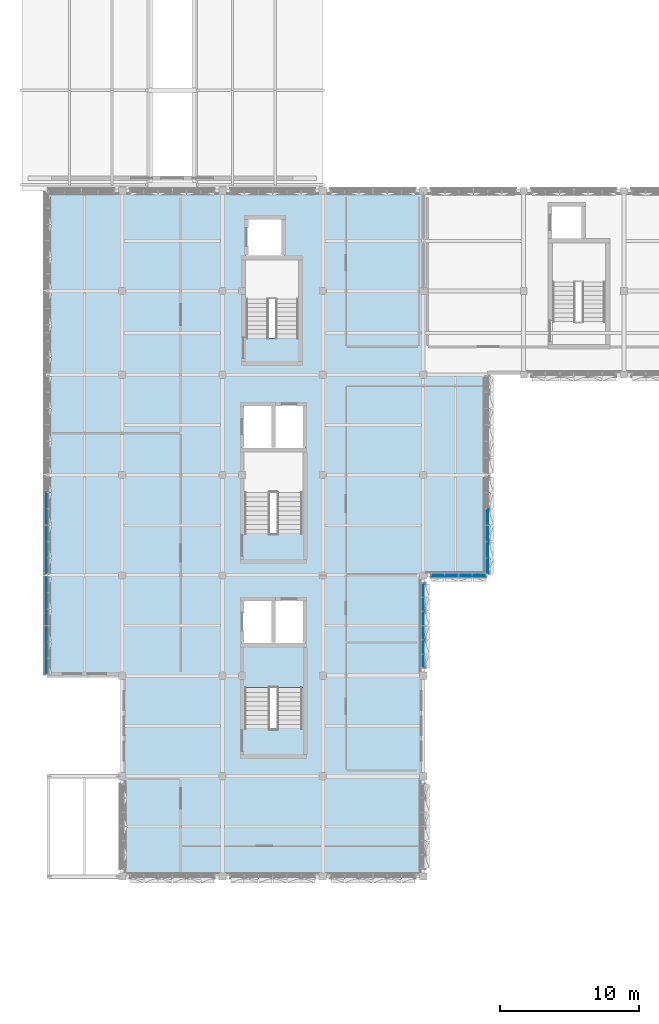
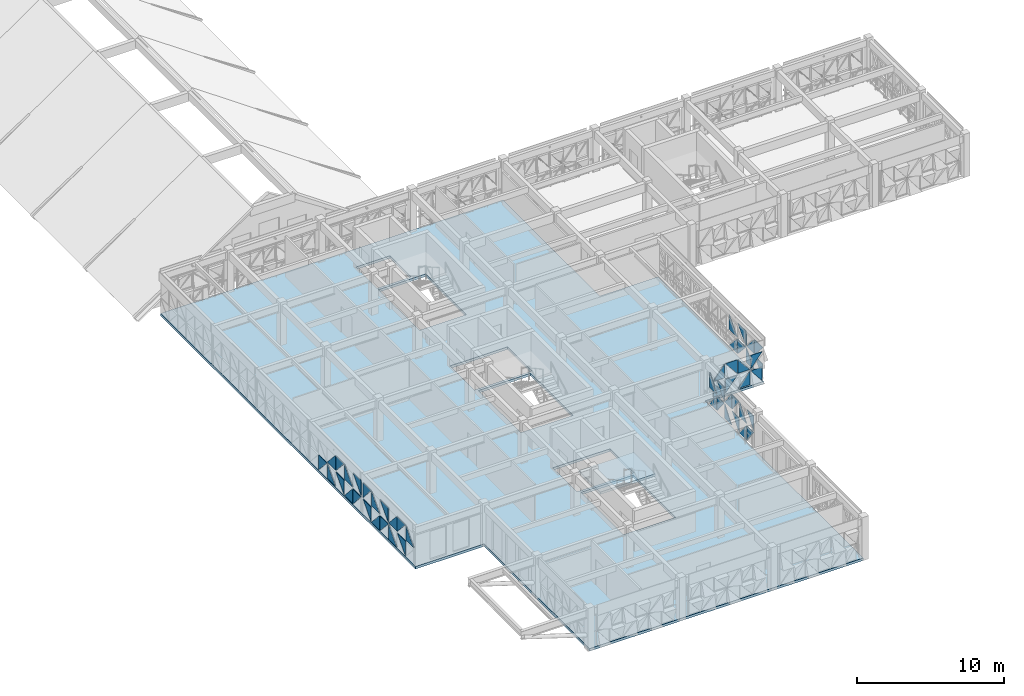
# One storey, part 20 of 48: 48 plates, 2 slabs, 6 elements without a shape of their own.
"""IFC4 building model written with IfcOpenShell, lengths in metres."""

from ifc_helpers import new_model, si_unit, direction, frame, origin, place, context, subcontext, project, spatial, polyline, outline, extrude, material, layer, layer_set, type_object, element, aggregate, save


model = new_model("IFC4")

# Units and contexts
model_context = context("Model", 3, precision=1e-05, world=origin(), true_north=direction((0.0, 1.0)))
body_context = subcontext(model_context, "Body", "Model", "MODEL_VIEW")
ifc_project = project(units=[si_unit("LENGTHUNIT", "METRE"), si_unit("AREAUNIT", "SQUARE_METRE"), si_unit("VOLUMEUNIT", "CUBIC_METRE"), si_unit("PLANEANGLEUNIT", "RADIAN"), si_unit("MASSUNIT", "GRAM", prefix="KILO")], contexts=[model_context])

# Site, building, storey
site_placement = place(None, origin())
site = spatial("IfcSite", under=ifc_project, at=site_placement, CompositionType="ELEMENT")
building_placement = place(site_placement, origin())
building = spatial("IfcBuilding", under=site, at=building_placement, Name="Alvorim Cloister Faculty of Sciences", CompositionType="ELEMENT")
storey_placement = place(building_placement, frame((0.0, 0.0, 19.35009765625)))
storey = spatial("IfcBuildingStorey", under=building, at=storey_placement, Name="L05", CompositionType="ELEMENT", Elevation=19.35009765625)

# Curtain wall, plates
ifc_material_1 = material(Name="Aluminium and Low-E Glass Curtain Wall", Category="aluminium")
curtain_wall_type_1 = type_object("IfcCurtainWallType", Name="CW-TRI-7040x2857", PredefinedType="USERDEFINED", material=ifc_material_1)
curtain_wall_1_placement = place(storey_placement, origin())
curtain_wall_1 = element("IfcCurtainWall", 1, at=curtain_wall_1_placement, inside=storey, type_object=curtain_wall_type_1, Name="L05 Diagonal Cassette Curtain Wall CW-0214", ObjectType="UNITISED CURTAIN WALL", PredefinedType="USERDEFINED")
ifc_material_2 = material(Name="Double Low-E Laminated Glass", Category="glass")
ifc_layer_1 = layer(ifc_material_2, 0.0400390625)
ifc_layer_set_1 = layer_set([ifc_layer_1], Name="Double Low-E Laminated Glass")
plate_type = type_object("IfcPlateType", Name="PN-GLZ-40", PredefinedType="CURTAIN_PANEL", material=ifc_layer_set_1)
plate_1_placement = place(storey_placement, frame((1.77490234375, 21.7451171875, 1.498291015625), z_axis=(0.0, 0.0, 1.0), x_axis=(0.0, 1.0, 0.0)))
plate_1 = element("IfcPlate", 2, at=plate_1_placement, type_object=plate_type, Name="Diagonal Glazed Triangle TRI-BR", PredefinedType="CURTAIN_PANEL", context=body_context, shape_type="SweptSolid", body=[
    extrude(outline(polyline([(0.001953125, 0.0), (1.075927734375, 0.0), (1.075927734375, 1.216552734375), (0.001953125, 0.0)])), frame((0.0, 0.02490234375, 0.0), z_axis=(0.0, -1.0, 0.0), x_axis=(1.0, 0.0, 0.0)), (0.0, 0.0, 1.0), 0.050048828125),
])
plate_2_placement = place(storey_placement, frame((1.77490234375, 22.8857421875, 0.139892578125), z_axis=(0.0, 0.0, 1.0), x_axis=(0.0, 1.0, 0.0)))
plate_2 = element("IfcPlate", 3, at=plate_2_placement, type_object=plate_type, Name="Diagonal Glazed Triangle TRI-TL", PredefinedType="CURTAIN_PANEL", context=body_context, shape_type="SweptSolid", body=[
    extrude(outline(polyline([(1.1064453125, 1.218505859375), (0.0, 1.218505859375), (0.0, 0.001953125), (1.1064453125, 1.218505859375)])), frame((0.0, 0.02490234375, 0.0), z_axis=(0.0, -1.0, 0.0), x_axis=(1.0, 0.0, 0.0)), (0.0, 0.0, 1.0), 0.050048828125),
])
plate_3_placement = place(storey_placement, frame((1.77490234375, 22.8857421875, 1.498291015625), z_axis=(0.0, 0.0, 1.0), x_axis=(0.0, 1.0, 0.0)))
plate_3 = element("IfcPlate", 4, at=plate_3_placement, type_object=plate_type, Name="Diagonal Glazed Triangle TRI-TR", PredefinedType="CURTAIN_PANEL", context=body_context, shape_type="SweptSolid", body=[
    extrude(outline(polyline([(1.1083984375, 0.001953125), (1.1083984375, 1.218505859375), (0.001953125, 1.218505859375), (1.1083984375, 0.001953125)])), frame((0.0, 0.02490234375, 0.0), z_axis=(0.0, -1.0, 0.0), x_axis=(1.0, 0.0, 0.0)), (0.0, 0.0, 1.0), 0.050048828125),
])
plate_4_placement = place(storey_placement, frame((1.77490234375, 24.05908203125, 0.139892578125), z_axis=(0.0, 0.0, 1.0), x_axis=(0.0, 1.0, 0.0)))
plate_4 = element("IfcPlate", 5, at=plate_4_placement, type_object=plate_type, Name="Diagonal Glazed Triangle TRI-BR", PredefinedType="CURTAIN_PANEL", context=body_context, shape_type="SweptSolid", body=[
    extrude(outline(polyline([(0.001953125, 0.0), (1.1083984375, 0.0), (1.1083984375, 1.216552734375), (0.001953125, 0.0)])), frame((0.0, 0.02490234375, 0.0), z_axis=(0.0, -1.0, 0.0), x_axis=(1.0, 0.0, 0.0)), (0.0, 0.0, 1.0), 0.050048828125),
])
plate_5_placement = place(storey_placement, frame((1.77490234375, 24.05908203125, 1.498291015625), z_axis=(0.0, 0.0, 1.0), x_axis=(0.0, 1.0, 0.0)))
plate_5 = element("IfcPlate", 6, at=plate_5_placement, type_object=plate_type, Name="Diagonal Glazed Triangle TRI-BL", PredefinedType="CURTAIN_PANEL", context=body_context, shape_type="SweptSolid", body=[
    extrude(outline(polyline([(0.0, 0.0), (1.1064453125, 0.0), (0.0, 1.216552734375), (0.0, 0.0)])), frame((0.0, 0.02490234375, 0.0), z_axis=(0.0, -1.0, 0.0), x_axis=(1.0, 0.0, 0.0)), (0.0, 0.0, 1.0), 0.050048828125),
])
plate_6_placement = place(storey_placement, frame((1.77490234375, 25.232421875, 0.139892578125), z_axis=(0.0, 0.0, 1.0), x_axis=(0.0, 1.0, 0.0)))
plate_6 = element("IfcPlate", 7, at=plate_6_placement, type_object=plate_type, Name="Diagonal Glazed Triangle TRI-TR", PredefinedType="CURTAIN_PANEL", context=body_context, shape_type="SweptSolid", body=[
    extrude(outline(polyline([(1.1083984375, 0.001953125), (1.1083984375, 1.218505859375), (0.001953125, 1.218505859375), (1.1083984375, 0.001953125)])), frame((0.0, 0.02490234375, 0.0), z_axis=(0.0, -1.0, 0.0), x_axis=(1.0, 0.0, 0.0)), (0.0, 0.0, 1.0), 0.050048828125),
])
plate_7_placement = place(storey_placement, frame((1.77490234375, 25.232421875, 1.498291015625), z_axis=(0.0, 0.0, 1.0), x_axis=(0.0, 1.0, 0.0)))
plate_7 = element("IfcPlate", 8, at=plate_7_placement, type_object=plate_type, Name="Diagonal Glazed Triangle TRI-TL", PredefinedType="CURTAIN_PANEL", context=body_context, shape_type="SweptSolid", body=[
    extrude(outline(polyline([(1.1064453125, 1.218505859375), (0.0, 1.218505859375), (0.0, 0.001953125), (1.1064453125, 1.218505859375)])), frame((0.0, 0.02490234375, 0.0), z_axis=(0.0, -1.0, 0.0), x_axis=(1.0, 0.0, 0.0)), (0.0, 0.0, 1.0), 0.050048828125),
])
plate_8_placement = place(storey_placement, frame((1.77490234375, 26.40576171875, 0.139892578125), z_axis=(0.0, 0.0, 1.0), x_axis=(0.0, 1.0, 0.0)))
plate_8 = element("IfcPlate", 9, at=plate_8_placement, type_object=plate_type, Name="Diagonal Glazed Triangle TRI-BL", PredefinedType="CURTAIN_PANEL", context=body_context, shape_type="SweptSolid", body=[
    extrude(outline(polyline([(0.0, 0.0), (1.1064453125, 0.0), (0.0, 1.216552734375), (0.0, 0.0)])), frame((0.0, 0.02490234375, 0.0), z_axis=(0.0, -1.0, 0.0), x_axis=(1.0, 0.0, 0.0)), (0.0, 0.0, 1.0), 0.050048828125),
])
plate_9_placement = place(storey_placement, frame((1.77490234375, 26.40576171875, 1.498291015625), z_axis=(0.0, 0.0, 1.0), x_axis=(0.0, 1.0, 0.0)))
plate_9 = element("IfcPlate", 10, at=plate_9_placement, type_object=plate_type, Name="Diagonal Glazed Triangle TRI-BR", PredefinedType="CURTAIN_PANEL", context=body_context, shape_type="SweptSolid", body=[
    extrude(outline(polyline([(0.001953125, 0.0), (1.1083984375, 0.0), (1.1083984375, 1.216552734375), (0.001953125, 0.0)])), frame((0.0, 0.02490234375, 0.0), z_axis=(0.0, -1.0, 0.0), x_axis=(1.0, 0.0, 0.0)), (0.0, 0.0, 1.0), 0.050048828125),
])
plate_10_placement = place(storey_placement, frame((1.77490234375, 27.5791015625, 0.139892578125), z_axis=(0.0, 0.0, 1.0), x_axis=(0.0, 1.0, 0.0)))
plate_10 = element("IfcPlate", 11, at=plate_10_placement, type_object=plate_type, Name="Diagonal Glazed Triangle TRI-TL", PredefinedType="CURTAIN_PANEL", context=body_context, shape_type="SweptSolid", body=[
    extrude(outline(polyline([(1.073974609375, 1.218505859375), (0.0, 1.218505859375), (0.0, 0.001953125), (1.073974609375, 1.218505859375)])), frame((0.0, 0.02490234375, 0.0), z_axis=(0.0, -1.0, 0.0), x_axis=(1.0, 0.0, 0.0)), (0.0, 0.0, 1.0), 0.050048828125),
])
plate_11_placement = place(storey_placement, frame((1.77490234375, 27.5791015625, 1.498291015625), z_axis=(0.0, 0.0, 1.0), x_axis=(0.0, 1.0, 0.0)))
plate_11 = element("IfcPlate", 12, at=plate_11_placement, type_object=plate_type, Name="Diagonal Glazed Triangle TRI-TR", PredefinedType="CURTAIN_PANEL", context=body_context, shape_type="SweptSolid", body=[
    extrude(outline(polyline([(1.075927734375, 0.001953125), (1.075927734375, 1.218505859375), (0.001953125, 1.218505859375), (1.075927734375, 0.001953125)])), frame((0.0, 0.02490234375, 0.0), z_axis=(0.0, -1.0, 0.0), x_axis=(1.0, 0.0, 0.0)), (0.0, 0.0, 1.0), 0.050048828125),
])
aggregate(curtain_wall_1, [plate_1, plate_2, plate_3, plate_4, plate_5, plate_6, plate_7, plate_8, plate_9, plate_10, plate_11])

curtain_wall_2_placement = place(storey_placement, origin())
curtain_wall_2 = element("IfcCurtainWall", 13, at=curtain_wall_2_placement, inside=storey, type_object=curtain_wall_type_1, Name="L05 Diagonal Cassette Curtain Wall CW-0215", ObjectType="UNITISED CURTAIN WALL", PredefinedType="USERDEFINED")
plate_12_placement = place(storey_placement, frame((1.77490234375, 28.945068359375, 0.139892578125), z_axis=(0.0, 0.0, 1.0), x_axis=(0.0, 1.0, 0.0)))
plate_12 = element("IfcPlate", 14, at=plate_12_placement, type_object=plate_type, Name="Diagonal Glazed Triangle TRI-TR", PredefinedType="CURTAIN_PANEL", context=body_context, shape_type="SweptSolid", body=[
    extrude(outline(polyline([(1.075927734375, 0.001953125), (1.075927734375, 1.218505859375), (0.001953125, 1.218505859375), (1.075927734375, 0.001953125)])), frame((0.0, 0.02490234375, 0.0), z_axis=(0.0, -1.0, 0.0), x_axis=(1.0, 0.0, 0.0)), (0.0, 0.0, 1.0), 0.050048828125),
])
plate_13_placement = place(storey_placement, frame((1.77490234375, 28.945068359375, 1.498291015625), z_axis=(0.0, 0.0, 1.0), x_axis=(0.0, 1.0, 0.0)))
plate_13 = element("IfcPlate", 15, at=plate_13_placement, type_object=plate_type, Name="Diagonal Glazed Triangle TRI-TL", PredefinedType="CURTAIN_PANEL", context=body_context, shape_type="SweptSolid", body=[
    extrude(outline(polyline([(1.073974609375, 1.218505859375), (0.0, 1.218505859375), (0.0, 0.001953125), (1.073974609375, 1.218505859375)])), frame((0.0, 0.02490234375, 0.0), z_axis=(0.0, -1.0, 0.0), x_axis=(1.0, 0.0, 0.0)), (0.0, 0.0, 1.0), 0.050048828125),
])
plate_14_placement = place(storey_placement, frame((1.77490234375, 30.0859375, 0.139892578125), z_axis=(0.0, 0.0, 1.0), x_axis=(0.0, 1.0, 0.0)))
plate_14 = element("IfcPlate", 16, at=plate_14_placement, type_object=plate_type, Name="Diagonal Glazed Triangle TRI-BL", PredefinedType="CURTAIN_PANEL", context=body_context, shape_type="SweptSolid", body=[
    extrude(outline(polyline([(0.0, 0.0), (1.1064453125, 0.0), (0.0, 1.216552734375), (0.0, 0.0)])), frame((0.0, 0.02490234375, 0.0), z_axis=(0.0, -1.0, 0.0), x_axis=(1.0, 0.0, 0.0)), (0.0, 0.0, 1.0), 0.050048828125),
])
plate_15_placement = place(storey_placement, frame((1.77490234375, 30.0859375, 1.498291015625), z_axis=(0.0, 0.0, 1.0), x_axis=(0.0, 1.0, 0.0)))
plate_15 = element("IfcPlate", 17, at=plate_15_placement, type_object=plate_type, Name="Diagonal Glazed Triangle TRI-BR", PredefinedType="CURTAIN_PANEL", context=body_context, shape_type="SweptSolid", body=[
    extrude(outline(polyline([(0.001953125, 0.0), (1.1083984375, 0.0), (1.1083984375, 1.216552734375), (0.001953125, 0.0)])), frame((0.0, 0.02490234375, 0.0), z_axis=(0.0, -1.0, 0.0), x_axis=(1.0, 0.0, 0.0)), (0.0, 0.0, 1.0), 0.050048828125),
])
plate_16_placement = place(storey_placement, frame((1.77490234375, 31.25927734375, 0.139892578125), z_axis=(0.0, 0.0, 1.0), x_axis=(0.0, 1.0, 0.0)))
plate_16 = element("IfcPlate", 18, at=plate_16_placement, type_object=plate_type, Name="Diagonal Glazed Triangle TRI-TL", PredefinedType="CURTAIN_PANEL", context=body_context, shape_type="SweptSolid", body=[
    extrude(outline(polyline([(1.1064453125, 1.218505859375), (0.0, 1.218505859375), (0.0, 0.001953125), (1.1064453125, 1.218505859375)])), frame((0.0, 0.02490234375, 0.0), z_axis=(0.0, -1.0, 0.0), x_axis=(1.0, 0.0, 0.0)), (0.0, 0.0, 1.0), 0.050048828125),
])
plate_17_placement = place(storey_placement, frame((1.77490234375, 31.25927734375, 1.498291015625), z_axis=(0.0, 0.0, 1.0), x_axis=(0.0, 1.0, 0.0)))
plate_17 = element("IfcPlate", 19, at=plate_17_placement, type_object=plate_type, Name="Diagonal Glazed Triangle TRI-TR", PredefinedType="CURTAIN_PANEL", context=body_context, shape_type="SweptSolid", body=[
    extrude(outline(polyline([(1.1083984375, 0.001953125), (1.1083984375, 1.218505859375), (0.001953125, 1.218505859375), (1.1083984375, 0.001953125)])), frame((0.0, 0.02490234375, 0.0), z_axis=(0.0, -1.0, 0.0), x_axis=(1.0, 0.0, 0.0)), (0.0, 0.0, 1.0), 0.050048828125),
])
plate_18_placement = place(storey_placement, frame((1.77490234375, 32.4326171875, 0.139892578125), z_axis=(0.0, 0.0, 1.0), x_axis=(0.0, 1.0, 0.0)))
plate_18 = element("IfcPlate", 20, at=plate_18_placement, type_object=plate_type, Name="Diagonal Glazed Triangle TRI-BR", PredefinedType="CURTAIN_PANEL", context=body_context, shape_type="SweptSolid", body=[
    extrude(outline(polyline([(0.001953125, 0.0), (1.1083984375, 0.0), (1.1083984375, 1.216552734375), (0.001953125, 0.0)])), frame((0.0, 0.02490234375, 0.0), z_axis=(0.0, -1.0, 0.0), x_axis=(1.0, 0.0, 0.0)), (0.0, 0.0, 1.0), 0.050048828125),
])
plate_19_placement = place(storey_placement, frame((1.77490234375, 32.4326171875, 1.498291015625), z_axis=(0.0, 0.0, 1.0), x_axis=(0.0, 1.0, 0.0)))
plate_19 = element("IfcPlate", 21, at=plate_19_placement, type_object=plate_type, Name="Diagonal Glazed Triangle TRI-BL", PredefinedType="CURTAIN_PANEL", context=body_context, shape_type="SweptSolid", body=[
    extrude(outline(polyline([(0.0, 0.0), (1.1064453125, 0.0), (0.0, 1.216552734375), (0.0, 0.0)])), frame((0.0, 0.02490234375, 0.0), z_axis=(0.0, -1.0, 0.0), x_axis=(1.0, 0.0, 0.0)), (0.0, 0.0, 1.0), 0.050048828125),
])
plate_20_placement = place(storey_placement, frame((1.77490234375, 33.605712890625, 0.139892578125), z_axis=(0.0, 0.0, 1.0), x_axis=(0.0, 1.0, 0.0)))
plate_20 = element("IfcPlate", 22, at=plate_20_placement, type_object=plate_type, Name="Diagonal Glazed Triangle TRI-TR", PredefinedType="CURTAIN_PANEL", context=body_context, shape_type="SweptSolid", body=[
    extrude(outline(polyline([(1.1083984375, 0.001953125), (1.1083984375, 1.218505859375), (0.001953125, 1.218505859375), (1.1083984375, 0.001953125)])), frame((0.0, 0.02490234375, 0.0), z_axis=(0.0, -1.0, 0.0), x_axis=(1.0, 0.0, 0.0)), (0.0, 0.0, 1.0), 0.050048828125),
])
aggregate(curtain_wall_2, [plate_12, plate_13, plate_14, plate_15, plate_16, plate_17, plate_18, plate_19, plate_20])

curtain_wall_3_placement = place(storey_placement, origin())
curtain_wall_3 = element("IfcCurtainWall", 23, at=curtain_wall_3_placement, inside=storey, type_object=curtain_wall_type_1, Name="L05 Diagonal Cassette Curtain Wall CW-0233", ObjectType="UNITISED CURTAIN WALL", PredefinedType="USERDEFINED")
plate_21_placement = place(storey_placement, frame((33.425048828125, 28.945068359375, 0.139892578125), z_axis=(0.0, 0.0, 1.0), x_axis=(0.0, 1.0, 0.0)))
plate_21 = element("IfcPlate", 24, at=plate_21_placement, type_object=plate_type, Name="Diagonal Glazed Triangle TRI-TL", PredefinedType="CURTAIN_PANEL", context=body_context, shape_type="SweptSolid", body=[
    extrude(outline(polyline([(1.073974609375, 1.218505859375), (0.0, 1.218505859375), (0.0, 0.001953125), (1.073974609375, 1.218505859375)])), frame((0.0, 0.02490234375, 0.0), z_axis=(0.0, -1.0, 0.0), x_axis=(1.0, 0.0, 0.0)), (0.0, 0.0, 1.0), 0.050048828125),
])
plate_22_placement = place(storey_placement, frame((33.425048828125, 28.945068359375, 1.498291015625), z_axis=(0.0, 0.0, 1.0), x_axis=(0.0, 1.0, 0.0)))
plate_22 = element("IfcPlate", 25, at=plate_22_placement, type_object=plate_type, Name="Diagonal Glazed Triangle TRI-TR", PredefinedType="CURTAIN_PANEL", context=body_context, shape_type="SweptSolid", body=[
    extrude(outline(polyline([(1.075927734375, 0.001953125), (1.075927734375, 1.218505859375), (0.001953125, 1.218505859375), (1.075927734375, 0.001953125)])), frame((0.0, 0.02490234375, 0.0), z_axis=(0.0, -1.0, 0.0), x_axis=(1.0, 0.0, 0.0)), (0.0, 0.0, 1.0), 0.050048828125),
])
plate_23_placement = place(storey_placement, frame((33.425048828125, 30.0859375, 0.139892578125), z_axis=(0.0, 0.0, 1.0), x_axis=(0.0, 1.0, 0.0)))
plate_23 = element("IfcPlate", 26, at=plate_23_placement, type_object=plate_type, Name="Diagonal Glazed Triangle TRI-BR", PredefinedType="CURTAIN_PANEL", context=body_context, shape_type="SweptSolid", body=[
    extrude(outline(polyline([(0.001953125, 0.0), (1.1083984375, 0.0), (1.1083984375, 1.216552734375), (0.001953125, 0.0)])), frame((0.0, 0.02490234375, 0.0), z_axis=(0.0, -1.0, 0.0), x_axis=(1.0, 0.0, 0.0)), (0.0, 0.0, 1.0), 0.050048828125),
])
plate_24_placement = place(storey_placement, frame((33.425048828125, 30.0859375, 1.498291015625), z_axis=(0.0, 0.0, 1.0), x_axis=(0.0, 1.0, 0.0)))
plate_24 = element("IfcPlate", 27, at=plate_24_placement, type_object=plate_type, Name="Diagonal Glazed Triangle TRI-BL", PredefinedType="CURTAIN_PANEL", context=body_context, shape_type="SweptSolid", body=[
    extrude(outline(polyline([(0.0, 0.0), (1.1064453125, 0.0), (0.0, 1.216552734375), (0.0, 0.0)])), frame((0.0, 0.02490234375, 0.0), z_axis=(0.0, -1.0, 0.0), x_axis=(1.0, 0.0, 0.0)), (0.0, 0.0, 1.0), 0.050048828125),
])
plate_25_placement = place(storey_placement, frame((33.425048828125, 31.25927734375, 0.139892578125), z_axis=(0.0, 0.0, 1.0), x_axis=(0.0, 1.0, 0.0)))
plate_25 = element("IfcPlate", 28, at=plate_25_placement, type_object=plate_type, Name="Diagonal Glazed Triangle TRI-TR", PredefinedType="CURTAIN_PANEL", context=body_context, shape_type="SweptSolid", body=[
    extrude(outline(polyline([(1.1083984375, 0.001953125), (1.1083984375, 1.218505859375), (0.001953125, 1.218505859375), (1.1083984375, 0.001953125)])), frame((0.0, 0.02490234375, 0.0), z_axis=(0.0, -1.0, 0.0), x_axis=(1.0, 0.0, 0.0)), (0.0, 0.0, 1.0), 0.050048828125),
])
plate_26_placement = place(storey_placement, frame((33.425048828125, 31.25927734375, 1.498291015625), z_axis=(0.0, 0.0, 1.0), x_axis=(0.0, 1.0, 0.0)))
plate_26 = element("IfcPlate", 29, at=plate_26_placement, type_object=plate_type, Name="Diagonal Glazed Triangle TRI-TL", PredefinedType="CURTAIN_PANEL", context=body_context, shape_type="SweptSolid", body=[
    extrude(outline(polyline([(1.1064453125, 1.218505859375), (0.0, 1.218505859375), (0.0, 0.001953125), (1.1064453125, 1.218505859375)])), frame((0.0, 0.02490234375, 0.0), z_axis=(0.0, -1.0, 0.0), x_axis=(1.0, 0.0, 0.0)), (0.0, 0.0, 1.0), 0.050048828125),
])
plate_27_placement = place(storey_placement, frame((33.425048828125, 32.4326171875, 0.139892578125), z_axis=(0.0, 0.0, 1.0), x_axis=(0.0, 1.0, 0.0)))
plate_27 = element("IfcPlate", 30, at=plate_27_placement, type_object=plate_type, Name="Diagonal Glazed Triangle TRI-BL", PredefinedType="CURTAIN_PANEL", context=body_context, shape_type="SweptSolid", body=[
    extrude(outline(polyline([(0.0, 0.0), (1.1064453125, 0.0), (0.0, 1.216552734375), (0.0, 0.0)])), frame((0.0, 0.02490234375, 0.0), z_axis=(0.0, -1.0, 0.0), x_axis=(1.0, 0.0, 0.0)), (0.0, 0.0, 1.0), 0.050048828125),
])
plate_28_placement = place(storey_placement, frame((33.425048828125, 32.4326171875, 1.498291015625), z_axis=(0.0, 0.0, 1.0), x_axis=(0.0, 1.0, 0.0)))
plate_28 = element("IfcPlate", 31, at=plate_28_placement, type_object=plate_type, Name="Diagonal Glazed Triangle TRI-BR", PredefinedType="CURTAIN_PANEL", context=body_context, shape_type="SweptSolid", body=[
    extrude(outline(polyline([(0.001953125, 0.0), (1.1083984375, 0.0), (1.1083984375, 1.216552734375), (0.001953125, 0.0)])), frame((0.0, 0.02490234375, 0.0), z_axis=(0.0, -1.0, 0.0), x_axis=(1.0, 0.0, 0.0)), (0.0, 0.0, 1.0), 0.050048828125),
])
aggregate(curtain_wall_3, [plate_21, plate_22, plate_23, plate_24, plate_25, plate_26, plate_27, plate_28])

curtain_wall_type_2 = type_object("IfcCurtainWallType", Name="CW-TRI-3980x2706", PredefinedType="USERDEFINED", material=ifc_material_1)
curtain_wall_4_placement = place(storey_placement, origin())
curtain_wall_4 = element("IfcCurtainWall", 32, at=curtain_wall_4_placement, inside=storey, type_object=curtain_wall_type_2, Name="L05 Diagonal Cassette Curtain Wall CW-0234", ObjectType="UNITISED CURTAIN WALL", PredefinedType="USERDEFINED")
plate_29_placement = place(storey_placement, frame((29.405029296875, 28.77490234375, 0.139892578125), z_axis=(0.0, 0.0, 1.0), x_axis=(1.0, 0.0, 0.0)))
plate_29 = element("IfcPlate", 33, at=plate_29_placement, type_object=plate_type, Name="Diagonal Glazed Triangle TRI-BL", PredefinedType="CURTAIN_PANEL", context=body_context, shape_type="SweptSolid", body=[
    extrude(outline(polyline([(0.0, 0.0), (0.8955078125, 0.0), (0.0, 1.14111328125), (0.0, 0.0)])), frame((0.0, 0.02490234375, 0.0), z_axis=(0.0, -1.0, 0.0), x_axis=(1.0, 0.0, 0.0)), (0.0, 0.0, 1.0), 0.050048828125),
])
plate_30_placement = place(storey_placement, frame((29.405029296875, 28.77490234375, 1.4228515625), z_axis=(0.0, 0.0, 1.0), x_axis=(1.0, 0.0, 0.0)))
plate_30 = element("IfcPlate", 34, at=plate_30_placement, type_object=plate_type, Name="Diagonal Glazed Triangle TRI-BR", PredefinedType="CURTAIN_PANEL", context=body_context, shape_type="SweptSolid", body=[
    extrude(outline(polyline([(0.001953125, 0.0), (0.8974609375, 0.0), (0.8974609375, 1.14111328125), (0.001953125, 0.0)])), frame((0.0, 0.02490234375, 0.0), z_axis=(0.0, -1.0, 0.0), x_axis=(1.0, 0.0, 0.0)), (0.0, 0.0, 1.0), 0.050048828125),
])
plate_31_placement = place(storey_placement, frame((30.367431640625, 28.77490234375, 0.139892578125), z_axis=(0.0, 0.0, 1.0), x_axis=(1.0, 0.0, 0.0)))
plate_31 = element("IfcPlate", 35, at=plate_31_placement, type_object=plate_type, Name="Diagonal Glazed Triangle TRI-TL", PredefinedType="CURTAIN_PANEL", context=body_context, shape_type="SweptSolid", body=[
    extrude(outline(polyline([(0.927978515625, 1.14306640625), (0.0, 1.14306640625), (0.0, 0.001953125), (0.927978515625, 1.14306640625)])), frame((0.0, 0.02490234375, 0.0), z_axis=(0.0, -1.0, 0.0), x_axis=(1.0, 0.0, 0.0)), (0.0, 0.0, 1.0), 0.050048828125),
])
plate_32_placement = place(storey_placement, frame((30.367431640625, 28.77490234375, 1.4228515625), z_axis=(0.0, 0.0, 1.0), x_axis=(1.0, 0.0, 0.0)))
plate_32 = element("IfcPlate", 36, at=plate_32_placement, type_object=plate_type, Name="Diagonal Glazed Triangle TRI-TR", PredefinedType="CURTAIN_PANEL", context=body_context, shape_type="SweptSolid", body=[
    extrude(outline(polyline([(0.929931640625, 0.001953125), (0.929931640625, 1.14306640625), (0.001953125, 1.14306640625), (0.929931640625, 0.001953125)])), frame((0.0, 0.02490234375, 0.0), z_axis=(0.0, -1.0, 0.0), x_axis=(1.0, 0.0, 0.0)), (0.0, 0.0, 1.0), 0.050048828125),
])
plate_33_placement = place(storey_placement, frame((31.362548828125, 28.77490234375, 0.139892578125), z_axis=(0.0, 0.0, 1.0), x_axis=(1.0, 0.0, 0.0)))
plate_33 = element("IfcPlate", 37, at=plate_33_placement, type_object=plate_type, Name="Diagonal Glazed Triangle TRI-BR", PredefinedType="CURTAIN_PANEL", context=body_context, shape_type="SweptSolid", body=[
    extrude(outline(polyline([(0.001953125, 0.0), (0.929931640625, 0.0), (0.929931640625, 1.14111328125), (0.001953125, 0.0)])), frame((0.0, 0.02490234375, 0.0), z_axis=(0.0, -1.0, 0.0), x_axis=(1.0, 0.0, 0.0)), (0.0, 0.0, 1.0), 0.050048828125),
])
plate_34_placement = place(storey_placement, frame((31.362548828125, 28.77490234375, 1.4228515625), z_axis=(0.0, 0.0, 1.0), x_axis=(1.0, 0.0, 0.0)))
plate_34 = element("IfcPlate", 38, at=plate_34_placement, type_object=plate_type, Name="Diagonal Glazed Triangle TRI-BL", PredefinedType="CURTAIN_PANEL", context=body_context, shape_type="SweptSolid", body=[
    extrude(outline(polyline([(0.0, 0.0), (0.927978515625, 0.0), (0.0, 1.14111328125), (0.0, 0.0)])), frame((0.0, 0.02490234375, 0.0), z_axis=(0.0, -1.0, 0.0), x_axis=(1.0, 0.0, 0.0)), (0.0, 0.0, 1.0), 0.050048828125),
])
plate_35_placement = place(storey_placement, frame((32.357421875, 28.77490234375, 0.139892578125), z_axis=(0.0, 0.0, 1.0), x_axis=(1.0, 0.0, 0.0)))
plate_35 = element("IfcPlate", 39, at=plate_35_placement, type_object=plate_type, Name="Diagonal Glazed Triangle TRI-TR", PredefinedType="CURTAIN_PANEL", context=body_context, shape_type="SweptSolid", body=[
    extrude(outline(polyline([(0.8974609375, 0.001953125), (0.8974609375, 1.14306640625), (0.001953125, 1.14306640625), (0.8974609375, 0.001953125)])), frame((0.0, 0.02490234375, 0.0), z_axis=(0.0, -1.0, 0.0), x_axis=(1.0, 0.0, 0.0)), (0.0, 0.0, 1.0), 0.050048828125),
])
plate_36_placement = place(storey_placement, frame((32.357421875, 28.77490234375, 1.4228515625), z_axis=(0.0, 0.0, 1.0), x_axis=(1.0, 0.0, 0.0)))
plate_36 = element("IfcPlate", 40, at=plate_36_placement, type_object=plate_type, Name="Diagonal Glazed Triangle TRI-TL", PredefinedType="CURTAIN_PANEL", context=body_context, shape_type="SweptSolid", body=[
    extrude(outline(polyline([(0.8955078125, 1.14306640625), (0.0, 1.14306640625), (0.0, 0.001953125), (0.8955078125, 1.14306640625)])), frame((0.0, 0.02490234375, 0.0), z_axis=(0.0, -1.0, 0.0), x_axis=(1.0, 0.0, 0.0)), (0.0, 0.0, 1.0), 0.050048828125),
])
aggregate(curtain_wall_4, [plate_29, plate_30, plate_31, plate_32, plate_33, plate_34, plate_35, plate_36])

curtain_wall_type_3 = type_object("IfcCurtainWallType", Name="CW-TRI-6120x2850", PredefinedType="USERDEFINED", material=ifc_material_1)
curtain_wall_5_placement = place(storey_placement, origin())
curtain_wall_5 = element("IfcCurtainWall", 41, at=curtain_wall_5_placement, inside=storey, type_object=curtain_wall_type_3, Name="L05 Diagonal Cassette Curtain Wall CW-0235", ObjectType="UNITISED CURTAIN WALL", PredefinedType="USERDEFINED")
plate_37_placement = place(storey_placement, frame((28.824951171875, 22.205078125, 0.139892578125), z_axis=(0.0, 0.0, 1.0), x_axis=(0.0, 1.0, 0.0)))
plate_37 = element("IfcPlate", 42, at=plate_37_placement, type_object=plate_type, Name="Diagonal Glazed Triangle TRI-TR", PredefinedType="CURTAIN_PANEL", context=body_context, shape_type="SweptSolid", body=[
    extrude(outline(polyline([(0.922607421875, 0.001953125), (0.922607421875, 1.215087890625), (0.001953125, 1.215087890625), (0.922607421875, 0.001953125)])), frame((0.0, 0.02490234375, 0.0), z_axis=(0.0, -1.0, 0.0), x_axis=(1.0, 0.0, 0.0)), (0.0, 0.0, 1.0), 0.050048828125),
])
plate_38_placement = place(storey_placement, frame((28.824951171875, 22.205078125, 1.494873046875), z_axis=(0.0, 0.0, 1.0), x_axis=(0.0, 1.0, 0.0)))
plate_38 = element("IfcPlate", 43, at=plate_38_placement, type_object=plate_type, Name="Diagonal Glazed Triangle TRI-TL", PredefinedType="CURTAIN_PANEL", context=body_context, shape_type="SweptSolid", body=[
    extrude(outline(polyline([(0.920654296875, 1.215087890625), (0.0, 1.215087890625), (0.0, 0.001953125), (0.920654296875, 1.215087890625)])), frame((0.0, 0.02490234375, 0.0), z_axis=(0.0, -1.0, 0.0), x_axis=(1.0, 0.0, 0.0)), (0.0, 0.0, 1.0), 0.050048828125),
])
plate_39_placement = place(storey_placement, frame((28.824951171875, 23.1923828125, 0.139892578125), z_axis=(0.0, 0.0, 1.0), x_axis=(0.0, 1.0, 0.0)))
plate_39 = element("IfcPlate", 44, at=plate_39_placement, type_object=plate_type, Name="Diagonal Glazed Triangle TRI-BL", PredefinedType="CURTAIN_PANEL", context=body_context, shape_type="SweptSolid", body=[
    extrude(outline(polyline([(0.0, 0.0), (0.953125, 0.0), (0.0, 1.213134765625), (0.0, 0.0)])), frame((0.0, 0.02490234375, 0.0), z_axis=(0.0, -1.0, 0.0), x_axis=(1.0, 0.0, 0.0)), (0.0, 0.0, 1.0), 0.050048828125),
])
plate_40_placement = place(storey_placement, frame((28.824951171875, 23.1923828125, 1.494873046875), z_axis=(0.0, 0.0, 1.0), x_axis=(0.0, 1.0, 0.0)))
plate_40 = element("IfcPlate", 45, at=plate_40_placement, type_object=plate_type, Name="Diagonal Glazed Triangle TRI-BR", PredefinedType="CURTAIN_PANEL", context=body_context, shape_type="SweptSolid", body=[
    extrude(outline(polyline([(0.001953125, 0.0), (0.955078125, 0.0), (0.955078125, 1.213134765625), (0.001953125, 0.0)])), frame((0.0, 0.02490234375, 0.0), z_axis=(0.0, -1.0, 0.0), x_axis=(1.0, 0.0, 0.0)), (0.0, 0.0, 1.0), 0.050048828125),
])
plate_41_placement = place(storey_placement, frame((28.824951171875, 24.21240234375, 0.139892578125), z_axis=(0.0, 0.0, 1.0), x_axis=(0.0, 1.0, 0.0)))
plate_41 = element("IfcPlate", 46, at=plate_41_placement, type_object=plate_type, Name="Diagonal Glazed Triangle TRI-TL", PredefinedType="CURTAIN_PANEL", context=body_context, shape_type="SweptSolid", body=[
    extrude(outline(polyline([(0.953125, 1.215087890625), (0.0, 1.215087890625), (0.0, 0.001953125), (0.953125, 1.215087890625)])), frame((0.0, 0.02490234375, 0.0), z_axis=(0.0, -1.0, 0.0), x_axis=(1.0, 0.0, 0.0)), (0.0, 0.0, 1.0), 0.050048828125),
])
plate_42_placement = place(storey_placement, frame((28.824951171875, 24.21240234375, 1.494873046875), z_axis=(0.0, 0.0, 1.0), x_axis=(0.0, 1.0, 0.0)))
plate_42 = element("IfcPlate", 47, at=plate_42_placement, type_object=plate_type, Name="Diagonal Glazed Triangle TRI-TR", PredefinedType="CURTAIN_PANEL", context=body_context, shape_type="SweptSolid", body=[
    extrude(outline(polyline([(0.955078125, 0.001953125), (0.955078125, 1.215087890625), (0.001953125, 1.215087890625), (0.955078125, 0.001953125)])), frame((0.0, 0.02490234375, 0.0), z_axis=(0.0, -1.0, 0.0), x_axis=(1.0, 0.0, 0.0)), (0.0, 0.0, 1.0), 0.050048828125),
])
plate_43_placement = place(storey_placement, frame((28.824951171875, 25.232421875, 0.139892578125), z_axis=(0.0, 0.0, 1.0), x_axis=(0.0, 1.0, 0.0)))
plate_43 = element("IfcPlate", 48, at=plate_43_placement, type_object=plate_type, Name="Diagonal Glazed Triangle TRI-BR", PredefinedType="CURTAIN_PANEL", context=body_context, shape_type="SweptSolid", body=[
    extrude(outline(polyline([(0.001953125, 0.0), (0.955078125, 0.0), (0.955078125, 1.213134765625), (0.001953125, 0.0)])), frame((0.0, 0.02490234375, 0.0), z_axis=(0.0, -1.0, 0.0), x_axis=(1.0, 0.0, 0.0)), (0.0, 0.0, 1.0), 0.050048828125),
])
plate_44_placement = place(storey_placement, frame((28.824951171875, 25.232421875, 1.494873046875), z_axis=(0.0, 0.0, 1.0), x_axis=(0.0, 1.0, 0.0)))
plate_44 = element("IfcPlate", 49, at=plate_44_placement, type_object=plate_type, Name="Diagonal Glazed Triangle TRI-BL", PredefinedType="CURTAIN_PANEL", context=body_context, shape_type="SweptSolid", body=[
    extrude(outline(polyline([(0.0, 0.0), (0.953125, 0.0), (0.0, 1.213134765625), (0.0, 0.0)])), frame((0.0, 0.02490234375, 0.0), z_axis=(0.0, -1.0, 0.0), x_axis=(1.0, 0.0, 0.0)), (0.0, 0.0, 1.0), 0.050048828125),
])
plate_45_placement = place(storey_placement, frame((28.824951171875, 26.25244140625, 0.139892578125), z_axis=(0.0, 0.0, 1.0), x_axis=(0.0, 1.0, 0.0)))
plate_45 = element("IfcPlate", 50, at=plate_45_placement, type_object=plate_type, Name="Diagonal Glazed Triangle TRI-TR", PredefinedType="CURTAIN_PANEL", context=body_context, shape_type="SweptSolid", body=[
    extrude(outline(polyline([(0.955078125, 0.001953125), (0.955078125, 1.215087890625), (0.001953125, 1.215087890625), (0.955078125, 0.001953125)])), frame((0.0, 0.02490234375, 0.0), z_axis=(0.0, -1.0, 0.0), x_axis=(1.0, 0.0, 0.0)), (0.0, 0.0, 1.0), 0.050048828125),
])
plate_46_placement = place(storey_placement, frame((28.824951171875, 26.25244140625, 1.494873046875), z_axis=(0.0, 0.0, 1.0), x_axis=(0.0, 1.0, 0.0)))
plate_46 = element("IfcPlate", 51, at=plate_46_placement, type_object=plate_type, Name="Diagonal Glazed Triangle TRI-TL", PredefinedType="CURTAIN_PANEL", context=body_context, shape_type="SweptSolid", body=[
    extrude(outline(polyline([(0.953125, 1.215087890625), (0.0, 1.215087890625), (0.0, 0.001953125), (0.953125, 1.215087890625)])), frame((0.0, 0.02490234375, 0.0), z_axis=(0.0, -1.0, 0.0), x_axis=(1.0, 0.0, 0.0)), (0.0, 0.0, 1.0), 0.050048828125),
])
plate_47_placement = place(storey_placement, frame((28.824951171875, 27.2724609375, 0.139892578125), z_axis=(0.0, 0.0, 1.0), x_axis=(0.0, 1.0, 0.0)))
plate_47 = element("IfcPlate", 52, at=plate_47_placement, type_object=plate_type, Name="Diagonal Glazed Triangle TRI-BL", PredefinedType="CURTAIN_PANEL", context=body_context, shape_type="SweptSolid", body=[
    extrude(outline(polyline([(0.0, 0.0), (0.920654296875, 0.0), (0.0, 1.213134765625), (0.0, 0.0)])), frame((0.0, 0.02490234375, 0.0), z_axis=(0.0, -1.0, 0.0), x_axis=(1.0, 0.0, 0.0)), (0.0, 0.0, 1.0), 0.050048828125),
])
plate_48_placement = place(storey_placement, frame((28.824951171875, 27.2724609375, 1.494873046875), z_axis=(0.0, 0.0, 1.0), x_axis=(0.0, 1.0, 0.0)))
plate_48 = element("IfcPlate", 53, at=plate_48_placement, type_object=plate_type, Name="Diagonal Glazed Triangle TRI-BR", PredefinedType="CURTAIN_PANEL", context=body_context, shape_type="SweptSolid", body=[
    extrude(outline(polyline([(0.001953125, 0.0), (0.922607421875, 0.0), (0.922607421875, 1.213134765625), (0.001953125, 0.0)])), frame((0.0, 0.02490234375, 0.0), z_axis=(0.0, -1.0, 0.0), x_axis=(1.0, 0.0, 0.0)), (0.0, 0.0, 1.0), 0.050048828125),
])
aggregate(curtain_wall_5, [plate_37, plate_38, plate_39, plate_40, plate_41, plate_42, plate_43, plate_44, plate_45, plate_46, plate_47, plate_48])

# Slab
ifc_material_3 = material(Name="Cross-Laminated Timber CLT C24", Category="wood")
ifc_layer_2 = layer(ifc_material_3, 0.2099609375)
ifc_layer_set_2 = layer_set([ifc_layer_2], Name="Cross-Laminated Timber CLT C24")
slab_type_1 = type_object("IfcSlabType", Name="SL-CLT-210", PredefinedType="FLOOR", material=ifc_layer_set_2)
slab_1_placement = place(storey_placement, frame((0.0, 0.0, -0.210205078125)))
element("IfcSlab", 54, at=slab_1_placement, inside=storey, type_object=slab_type_1, Name="L05 V5 Structural Slab 32", PredefinedType="FLOOR", context=body_context, shape_type="SweptSolid", body=[
    extrude(outline(polyline([(7.205078125, 21.60498046875), (1.804931640625, 21.60498046875), (1.804931640625, 56.39501953125), (28.794921875, 56.39501953125), (28.794921875, 43.195068359375), (33.39501953125, 43.195068359375), (33.39501953125, 28.804931640625), (28.794921875, 28.804931640625), (28.794921875, 7.205078125), (7.205078125, 7.205078125), (7.205078125, 21.60498046875)]), holes=[polyline([(16.0, 23.60009765625), (16.0, 17.81005859375), (20.1201171875, 17.81005859375), (20.1201171875, 23.60009765625), (16.0, 23.60009765625)]), polyline([(15.800048828125, 27.10009765625), (15.800048828125, 23.800048828125), (18.06005859375, 23.800048828125), (20.320068359375, 23.800048828125), (20.320068359375, 27.10009765625), (18.06005859375, 27.10009765625), (15.800048828125, 27.10009765625)]), polyline([(20.1201171875, 37.60009765625), (16.0, 37.60009765625), (16.0, 31.81005859375), (20.1201171875, 31.81005859375), (20.1201171875, 37.60009765625)]), polyline([(18.06005859375, 37.800048828125), (20.320068359375, 37.800048828125), (20.320068359375, 41.10009765625), (18.06005859375, 41.10009765625), (15.800048828125, 41.10009765625), (15.800048828125, 37.800048828125), (18.06005859375, 37.800048828125)]), polyline([(16.10009765625, 51.39990234375), (16.10009765625, 45.830078125), (19.820068359375, 45.830078125), (19.820068359375, 51.39990234375), (16.10009765625, 51.39990234375)]), polyline([(18.800048828125, 54.5), (16.10009765625, 54.5), (16.10009765625, 51.60009765625), (18.800048828125, 51.60009765625), (18.800048828125, 54.5)])]), origin(), (0.0, 0.0, 1.0), 0.210205078125),
])

# Stair, slab
ifc_material_4 = material(Name="Concrete C40", Category="concrete")
stair_type = type_object("IfcStairType", Name="STR-ST-01-1780x3600", PredefinedType="HALF_TURN_STAIR", material=ifc_material_4)
stair_placement = place(storey_placement, origin())
stair = element("IfcStair", 55, at=stair_placement, inside=storey, type_object=stair_type, Name="L05 Enclosed Smoke-Proof Stair ST-01", PredefinedType="HALF_TURN_STAIR")
ifc_layer_3 = layer(ifc_material_4, 0.199951171875)
ifc_layer_set_3 = layer_set([ifc_layer_3], Name="Concrete C40")
slab_type_2 = type_object("IfcSlabType", Name="SL-LAND-200", PredefinedType="LANDING", material=ifc_layer_set_3)
slab_2_placement = place(storey_placement, frame((0.0, 0.0, 1.599853515625)))
slab_2 = element("IfcSlab", 56, at=slab_2_placement, type_object=slab_type_2, Name="ST-01 landing 1", PredefinedType="LANDING", context=body_context, shape_type="SweptSolid", body=[
    extrude(outline(polyline([(20.239990234375, 20.75), (20.239990234375, 23.719970703125), (15.8798828125, 23.719970703125), (15.8798828125, 20.75), (20.239990234375, 20.75)])), origin(), (0.0, 0.0, 1.0), 0.199951171875),
])
aggregate(stair, [slab_2])

save(model, "model.ifc")
